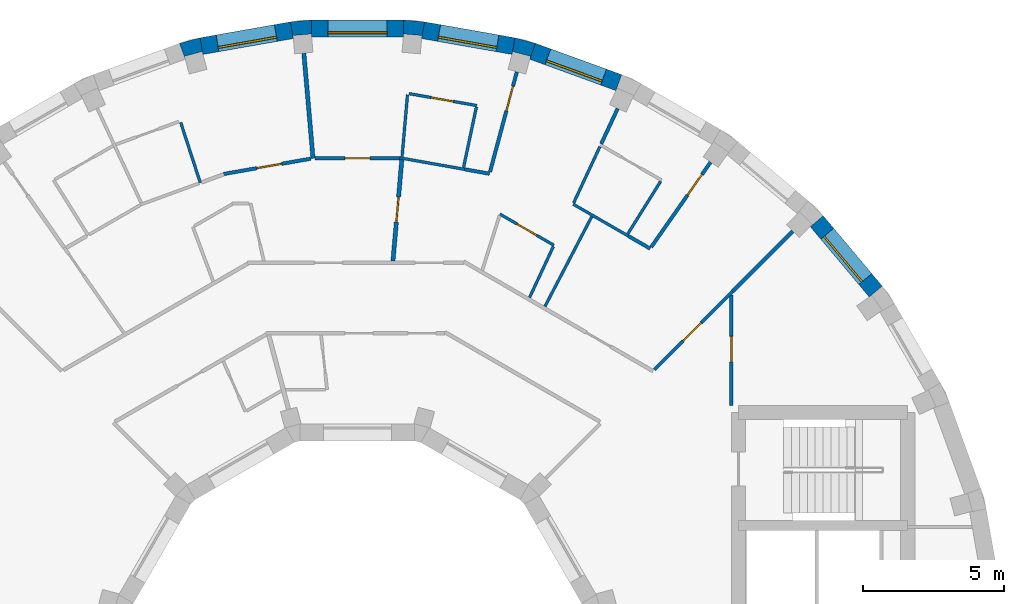
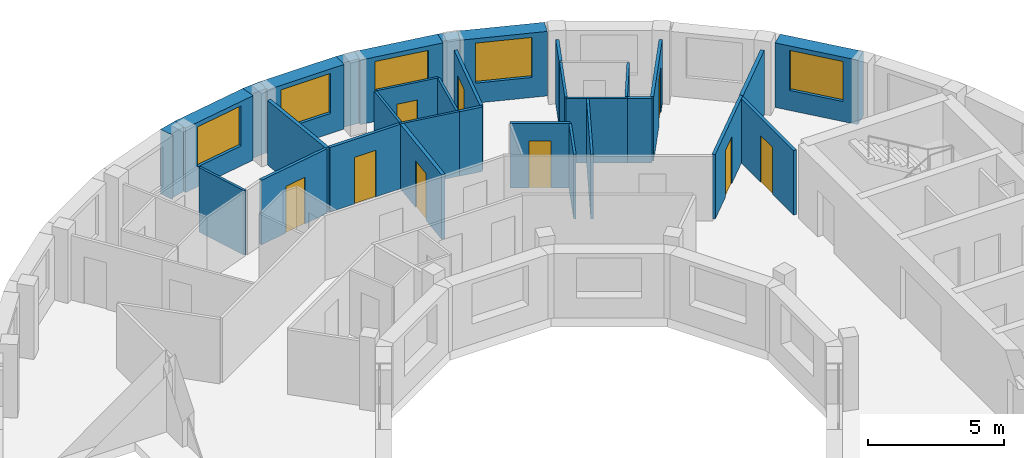
# One storey, part 10 of 12: 32 walls, 9 doors, 5 windows, 14 openings.
"""IFC4 building model written with IfcOpenShell, lengths in metres."""

from ifc_helpers import new_model, si_unit, direction, frame, frame_2d, origin, place, context, subcontext, project, spatial, polyline, rectangle, outline, extrude, material, layer, layer_set, type_object, element, fill, save


model = new_model("IFC4")

# Units and contexts
model_context = context("Model", 3, precision=1e-05, world=origin(), true_north=direction((0.0, 1.0)))
body_context = subcontext(model_context, "Body", "Model", "MODEL_VIEW")
ifc_project = project(units=[si_unit("LENGTHUNIT", "METRE"), si_unit("AREAUNIT", "SQUARE_METRE"), si_unit("VOLUMEUNIT", "CUBIC_METRE"), si_unit("PLANEANGLEUNIT", "RADIAN"), si_unit("MASSUNIT", "GRAM", prefix="KILO")], contexts=[model_context])

# Site, building, storey
site_placement = place(None, origin())
site = spatial("IfcSite", under=ifc_project, at=site_placement, CompositionType="ELEMENT")
building_placement = place(site_placement, origin())
building = spatial("IfcBuilding", under=site, at=building_placement, Name="Saqina Gate Tower", CompositionType="ELEMENT")
storey_placement = place(building_placement, frame((0.0, 0.0, 259.39990234375)))
storey = spatial("IfcBuildingStorey", under=building, at=storey_placement, Name="L74", CompositionType="ELEMENT", Elevation=259.39990234375)

# Walls
ifc_material_1 = material(Name="Brick masonry (buff)", Category="masonry")
wall_type_1 = type_object("IfcWallType", Name="BRICK PIER COPING BUFF", PredefinedType="SOLIDWALL", material=ifc_material_1)
wall_1_placement = place(storey_placement, origin())
element("IfcWall", 1, at=wall_1_placement, inside=storey, type_object=wall_type_1, Name="Pier cap L74 column 8", PredefinedType="SOLIDWALL", context=body_context, shape_type="SweptSolid", body=[
    extrude(outline(polyline([(5.579833984375, 22.281982421875), (5.4755859375, 21.691162109375), (5.5029296875, 21.793212890625), (6.130859375, 21.625), (6.103515625, 21.52294921875), (6.30859375, 22.0869140625), (5.579833984375, 22.281982421875)])), origin(), (0.0, 0.0, 1.0), 2.900146484375),
])
wall_2_placement = place(storey_placement, origin())
element("IfcWall", 2, at=wall_2_placement, inside=storey, type_object=wall_type_1, Name="Pier cap L74 column 9", PredefinedType="SOLIDWALL", context=body_context, shape_type="SweptSolid", body=[
    extrude(outline(polyline([(2.377685546875, 22.8466796875), (1.625732421875, 22.91259765625), (1.625732421875, 22.3125), (1.635009765625, 22.417724609375), (2.28271484375, 22.361083984375), (2.2734375, 22.255859375), (2.377685546875, 22.8466796875)])), origin(), (0.0, 0.0, 1.0), 2.900146484375),
])
wall_3_placement = place(storey_placement, origin())
element("IfcWall", 3, at=wall_3_placement, inside=storey, type_object=wall_type_1, Name="Pier cap L74 column 10", PredefinedType="SOLIDWALL", context=body_context, shape_type="SweptSolid", body=[
    extrude(outline(polyline([(-1.625732421875, 22.91259765625), (-2.377685546875, 22.8466796875), (-2.2734375, 22.255859375), (-2.28271484375, 22.361083984375), (-1.635009765625, 22.417724609375), (-1.625732421875, 22.3125), (-1.625732421875, 22.91259765625)])), origin(), (0.0, 0.0, 1.0), 2.900146484375),
])
wall_4_placement = place(storey_placement, origin())
element("IfcWall", 4, at=wall_4_placement, inside=storey, type_object=wall_type_1, Name="Pier cap L74 column 11", PredefinedType="SOLIDWALL", context=body_context, shape_type="SweptSolid", body=[
    extrude(outline(polyline([(-6.30859375, 22.0869140625), (-6.103515625, 21.52294921875), (-6.130859375, 21.625), (-5.5029296875, 21.793212890625), (-5.4755859375, 21.691162109375), (-5.579833984375, 22.281982421875), (-6.30859375, 22.0869140625)])), origin(), (0.0, 0.0, 1.0), 2.900146484375),
])

# Wall, opening, window
ifc_material_2 = material(Name="Brick masonry (buff)", Category="masonry")
ifc_layer_1 = layer(ifc_material_2, 0.60009765625)
ifc_layer_set_1 = layer_set([ifc_layer_1], Name="FW-BRICK-BUFF")
wall_type_2 = type_object("IfcWallType", Name="FW-BRICK-BUFF", PredefinedType="SOLIDWALL", material=ifc_layer_set_1)
wall_5_placement = place(storey_placement, frame((18.3671875, 13.28955078125, 0.0), z_axis=(0.0, 0.0, 1.0), x_axis=(-0.64277291405, 0.766056773982, 0.0)))
wall_5 = element("IfcWall", 5, at=wall_5_placement, inside=storey, type_object=wall_type_2, Name="Facade wall L74 facet 4", PredefinedType="SOLIDWALL", context=body_context, shape_type="SweptSolid", body=[
    extrude(rectangle(XDim=3.251708984375, YDim=0.60009765625, at=frame_2d((1.6259765625, 0.0))), origin(), (0.0, 0.0, 1.0), 2.900146484375),
])
opening_1_placement = place(wall_5_placement, frame((0.57568359375, 0.0, 0.89990234375)))
opening_1 = element("IfcOpeningElement", 6, at=opening_1_placement, cuts=wall_5, Name="Opening G22-W02", PredefinedType="OPENING", context=body_context, shape_type="SweptSolid", body=[
    extrude(rectangle(XDim=2.10009765625, YDim=1.800048828125, at=frame_2d((1.050048828125, 0.89990234375))), frame((0.0, 0.31201171875, 0.0), z_axis=(0.0, -1.0, 0.0), x_axis=(1.0, 0.0, 0.0)), (0.0, 0.0, 1.0), 0.6240234375),
])
ifc_material_3 = material(Name="Aluminium glazing", Category="aluminium")
window_type = type_object("IfcWindowType", Name="WN-D", PartitioningType="SINGLE_PANEL", PredefinedType="WINDOW", material=ifc_material_3)
window_1_placement = place(opening_1_placement, origin())
window_1 = element("IfcWindow", 7, at=window_1_placement, inside=storey, type_object=window_type, Name="Window L74 facet 4", OverallHeight=1.800048828125, OverallWidth=2.10009765625, PartitioningType="SINGLE_PANEL", PredefinedType="WINDOW", context=body_context, shape_type="SweptSolid", body=[
    extrude(rectangle(XDim=2.10009765625, YDim=1.800048828125, at=frame_2d((1.050048828125, 0.89990234375))), frame((0.0, 0.179931640625, 0.0), z_axis=(0.0, -1.0, 0.0), x_axis=(1.0, 0.0, 0.0)), (0.0, 0.0, 1.0), 0.06005859375),
])
fill(opening_1, window_1)

wall_6_placement = place(storey_placement, frame((9.26171875, 20.692626953125, 0.0), z_axis=(0.0, 0.0, 1.0), x_axis=(-0.939679383794, 0.342056509473, 0.0)))
wall_6 = element("IfcWall", 8, at=wall_6_placement, inside=storey, type_object=wall_type_2, Name="Facade wall L74 facet 7", PredefinedType="SOLIDWALL", context=body_context, shape_type="SweptSolid", body=[
    extrude(rectangle(XDim=3.251708984375, YDim=0.60009765625, at=frame_2d((1.6259765625, 0.0))), origin(), (0.0, 0.0, 1.0), 2.900146484375),
])
opening_2_placement = place(wall_6_placement, frame((0.57568359375, 0.0, 0.89990234375)))
opening_2 = element("IfcOpeningElement", 9, at=opening_2_placement, cuts=wall_6, Name="Opening G22-W05", PredefinedType="OPENING", context=body_context, shape_type="SweptSolid", body=[
    extrude(rectangle(XDim=2.10009765625, YDim=1.800048828125, at=frame_2d((1.050048828125, 0.89990234375))), frame((0.0, 0.31201171875, 0.0), z_axis=(0.0, -1.0, 0.0), x_axis=(1.0, 0.0, 0.0)), (0.0, 0.0, 1.0), 0.6240234375),
])
window_2_placement = place(opening_2_placement, origin())
window_2 = element("IfcWindow", 10, at=window_2_placement, inside=storey, type_object=window_type, Name="Window L74 facet 7", OverallHeight=1.800048828125, OverallWidth=2.10009765625, PartitioningType="SINGLE_PANEL", PredefinedType="WINDOW", context=body_context, shape_type="SweptSolid", body=[
    extrude(rectangle(XDim=2.10009765625, YDim=1.800048828125, at=frame_2d((1.050048828125, 0.89990234375))), frame((0.0, 0.179931640625, 0.0), z_axis=(0.0, -1.0, 0.0), x_axis=(1.0, 0.0, 0.0)), (0.0, 0.0, 1.0), 0.06005859375),
])
fill(opening_2, window_2)

wall_7_placement = place(storey_placement, frame((5.52783203125, 21.986572265625, 0.0), z_axis=(0.0, 0.0, 1.0), x_axis=(-0.984806225186, 0.173656842178, 0.0)))
wall_7 = element("IfcWall", 11, at=wall_7_placement, inside=storey, type_object=wall_type_2, Name="Facade wall L74 facet 8", PredefinedType="SOLIDWALL", context=body_context, shape_type="SweptSolid", body=[
    extrude(rectangle(XDim=3.251708984375, YDim=0.60009765625, at=frame_2d((1.6259765625, 0.0))), origin(), (0.0, 0.0, 1.0), 2.900146484375),
])
opening_3_placement = place(wall_7_placement, frame((0.57568359375, 0.0, 0.89990234375)))
opening_3 = element("IfcOpeningElement", 12, at=opening_3_placement, cuts=wall_7, Name="Opening G22-W06", PredefinedType="OPENING", context=body_context, shape_type="SweptSolid", body=[
    extrude(rectangle(XDim=2.10009765625, YDim=1.800048828125, at=frame_2d((1.050048828125, 0.89990234375))), frame((0.0, 0.31201171875, 0.0), z_axis=(0.0, -1.0, 0.0), x_axis=(1.0, 0.0, 0.0)), (0.0, 0.0, 1.0), 0.6240234375),
])
window_3_placement = place(opening_3_placement, origin())
window_3 = element("IfcWindow", 13, at=window_3_placement, inside=storey, type_object=window_type, Name="Window L74 facet 8", OverallHeight=1.800048828125, OverallWidth=2.10009765625, PartitioningType="SINGLE_PANEL", PredefinedType="WINDOW", context=body_context, shape_type="SweptSolid", body=[
    extrude(rectangle(XDim=2.10009765625, YDim=1.800048828125, at=frame_2d((1.050048828125, 0.89990234375))), frame((0.0, 0.179931640625, 0.0), z_axis=(0.0, -1.0, 0.0), x_axis=(1.0, 0.0, 0.0)), (0.0, 0.0, 1.0), 0.06005859375),
])
fill(opening_3, window_3)

wall_8_placement = place(storey_placement, frame((1.625732421875, 22.612548828125, 0.0), z_axis=(0.0, 0.0, 1.0), x_axis=(-1.0, 0.0, 0.0)))
wall_8 = element("IfcWall", 14, at=wall_8_placement, inside=storey, type_object=wall_type_2, Name="Facade wall L74 facet 9", PredefinedType="SOLIDWALL", context=body_context, shape_type="SweptSolid", body=[
    extrude(rectangle(XDim=3.25146484375, YDim=0.60009765625, at=frame_2d((1.625732421875, 0.0))), origin(), (0.0, 0.0, 1.0), 2.900146484375),
])
opening_4_placement = place(wall_8_placement, frame((0.57568359375, 0.0, 0.89990234375)))
opening_4 = element("IfcOpeningElement", 15, at=opening_4_placement, cuts=wall_8, Name="Opening G22-W07", PredefinedType="OPENING", context=body_context, shape_type="SweptSolid", body=[
    extrude(rectangle(XDim=2.10009765625, YDim=1.800048828125, at=frame_2d((1.050048828125, 0.89990234375))), frame((0.0, 0.31201171875, 0.0), z_axis=(0.0, -1.0, 0.0), x_axis=(1.0, 0.0, 0.0)), (0.0, 0.0, 1.0), 0.6240234375),
])
window_4_placement = place(opening_4_placement, origin())
window_4 = element("IfcWindow", 16, at=window_4_placement, inside=storey, type_object=window_type, Name="Window L74 facet 9", OverallHeight=1.800048828125, OverallWidth=2.10009765625, PartitioningType="SINGLE_PANEL", PredefinedType="WINDOW", context=body_context, shape_type="SweptSolid", body=[
    extrude(rectangle(XDim=2.10009765625, YDim=1.800048828125, at=frame_2d((1.050048828125, 0.89990234375))), frame((0.0, 0.179931640625, 0.0), z_axis=(0.0, -1.0, 0.0), x_axis=(1.0, 0.0, 0.0)), (0.0, 0.0, 1.0), 0.06005859375),
])
fill(opening_4, window_4)

wall_9_placement = place(storey_placement, frame((-2.325439453125, 22.55126953125, 0.0), z_axis=(0.0, 0.0, 1.0), x_axis=(-0.984806225186, -0.173656842178, 0.0)))
wall_9 = element("IfcWall", 17, at=wall_9_placement, inside=storey, type_object=wall_type_2, Name="Facade wall L74 facet 10", PredefinedType="SOLIDWALL", context=body_context, shape_type="SweptSolid", body=[
    extrude(rectangle(XDim=3.251708984375, YDim=0.60009765625, at=frame_2d((1.6259765625, 0.0))), origin(), (0.0, 0.0, 1.0), 2.900146484375),
])
opening_5_placement = place(wall_9_placement, frame((0.57568359375, 0.0, 0.89990234375)))
opening_5 = element("IfcOpeningElement", 18, at=opening_5_placement, cuts=wall_9, Name="Opening G22-W08", PredefinedType="OPENING", context=body_context, shape_type="SweptSolid", body=[
    extrude(rectangle(XDim=2.10009765625, YDim=1.800048828125, at=frame_2d((1.050048828125, 0.89990234375))), frame((0.0, 0.31201171875, 0.0), z_axis=(0.0, -1.0, 0.0), x_axis=(1.0, 0.0, 0.0)), (0.0, 0.0, 1.0), 0.6240234375),
])
window_5_placement = place(opening_5_placement, origin())
window_5 = element("IfcWindow", 19, at=window_5_placement, inside=storey, type_object=window_type, Name="Window L74 facet 10", OverallHeight=1.800048828125, OverallWidth=2.10009765625, PartitioningType="SINGLE_PANEL", PredefinedType="WINDOW", context=body_context, shape_type="SweptSolid", body=[
    extrude(rectangle(XDim=2.10009765625, YDim=1.800048828125, at=frame_2d((1.050048828125, 0.89990234375))), frame((0.0, 0.179931640625, 0.0), z_axis=(0.0, -1.0, 0.0), x_axis=(1.0, 0.0, 0.0)), (0.0, 0.0, 1.0), 0.06005859375),
])
fill(opening_5, window_5)

# Wall
ifc_material_4 = material(Name="Gypsum board on steel studs, 100 mm", Category="steel")
ifc_layer_2 = layer(ifc_material_4, 0.10009765625)
ifc_layer_set_2 = layer_set([ifc_layer_2], Name="PARTITION 100")
wall_type_3 = type_object("IfcWallType", Name="PARTITION 100", PredefinedType="PARTITIONING", material=ifc_layer_set_2)
wall_10_placement = place(storey_placement, frame((-6.264892578125, 19.280517578125, 0.0), z_axis=(0.0, 0.0, 1.0), x_axis=(0.308892186689, -0.951097059717, 0.0)))
element("IfcWall", 20, at=wall_10_placement, inside=storey, type_object=wall_type_3, Name="PARTITION PW3-07", PredefinedType="PARTITIONING", context=body_context, shape_type="SweptSolid", body=[
    extrude(rectangle(XDim=2.24951171875, YDim=0.10009765625, at=frame_2d((1.124755859375, 0.0))), origin(), (0.0, 0.0, 1.0), 2.900146484375),
])

# Wall, opening, door
wall_11_placement = place(storey_placement, frame((5.05078125, 16.031982421875, 0.0), z_axis=(0.0, 0.0, 1.0), x_axis=(0.86609715799, -0.49987569747, 0.0)))
wall_11 = element("IfcWall", 21, at=wall_11_placement, inside=storey, type_object=wall_type_3, Name="PARTITION PW3-19", PredefinedType="PARTITIONING", context=body_context, shape_type="SweptSolid", body=[
    extrude(rectangle(XDim=2.20654296875, YDim=0.10009765625, at=frame_2d((1.103271484375, 0.0))), origin(), (0.0, 0.0, 1.0), 2.900146484375),
])
opening_6_placement = place(wall_11_placement, frame((0.702392578125, 0.0, 0.0)))
opening_6 = element("IfcOpeningElement", 22, at=opening_6_placement, cuts=wall_11, Name="Opening G22-D06", PredefinedType="OPENING", context=body_context, shape_type="SweptSolid", body=[
    extrude(rectangle(XDim=0.800048828125, YDim=2.10009765625, at=frame_2d((0.39990234375, 1.050048828125))), frame((0.0, 0.06201171875, 0.0), z_axis=(0.0, -1.0, 0.0), x_axis=(1.0, 0.0, 0.0)), (0.0, 0.0, 1.0), 0.1240234375),
])
ifc_material_5 = material(Name="Timber door leaf, 800 mm", Category="wood")
door_type_1 = type_object("IfcDoorType", Name="DOOR 800 TIMBER", OperationType="SINGLE_SWING_LEFT", PredefinedType="DOOR", material=ifc_material_5)
door_1_placement = place(opening_6_placement, origin())
door_1 = element("IfcDoor", 23, at=door_1_placement, inside=storey, type_object=door_type_1, Name="DOOR G22-D06", OperationType="SINGLE_SWING_LEFT", OverallHeight=2.10009765625, OverallWidth=0.800048828125, PredefinedType="DOOR", context=body_context, shape_type="SweptSolid", body=[
    extrude(rectangle(XDim=0.800048828125, YDim=2.10009765625, at=frame_2d((0.39990234375, 1.050048828125))), frame((0.0, 0.02490234375, 0.0), z_axis=(0.0, -1.0, 0.0), x_axis=(1.0, 0.0, 0.0)), (0.0, 0.0, 1.0), 0.050048828125),
])
fill(opening_6, door_1)

# Walls
wall_12_placement = place(storey_placement, frame((7.64208984375, 16.386474609375, 0.0), z_axis=(0.0, 0.0, 1.0), x_axis=(0.86603400694, -0.499985098601, 0.0)))
element("IfcWall", 24, at=wall_12_placement, inside=storey, type_object=wall_type_3, Name="PARTITION PW3-20", PredefinedType="PARTITIONING", context=body_context, shape_type="SweptSolid", body=[
    extrude(rectangle(XDim=2.2529296875, YDim=0.10009765625, at=frame_2d((1.12646484375, 0.0))), origin(), (0.0, 0.0, 1.0), 2.900146484375),
])
wall_13_placement = place(storey_placement, frame((1.5, 18.02734375, 0.0), z_axis=(0.0, 0.0, 1.0), x_axis=(0.984634591381, -0.174627378886, 0.0)))
element("IfcWall", 25, at=wall_13_placement, inside=storey, type_object=wall_type_3, Name="PARTITION PW3-22", PredefinedType="PARTITIONING", context=body_context, shape_type="SweptSolid", body=[
    extrude(rectangle(XDim=2.33203125, YDim=0.10009765625, at=frame_2d((1.166015625, 0.0))), origin(), (0.0, 0.0, 1.0), 2.900146484375),
])

# Wall, opening, door
wall_14_placement = place(storey_placement, frame((1.8271484375, 20.30322265625, 0.0), z_axis=(0.0, 0.0, 1.0), x_axis=(0.984857159035, -0.173367748724, 0.0)))
wall_14 = element("IfcWall", 26, at=wall_14_placement, inside=storey, type_object=wall_type_3, Name="PARTITION PW3-25", PredefinedType="PARTITIONING", context=body_context, shape_type="SweptSolid", body=[
    extrude(rectangle(XDim=2.434814453125, YDim=0.10009765625, at=frame_2d((1.21728515625, 0.0))), origin(), (0.0, 0.0, 1.0), 2.900146484375),
])
opening_7_placement = place(wall_14_placement, frame((0.791748046875, 0.0, 0.0)))
opening_7 = element("IfcOpeningElement", 27, at=opening_7_placement, cuts=wall_14, Name="Opening G22-D10", PredefinedType="OPENING", context=body_context, shape_type="SweptSolid", body=[
    extrude(rectangle(XDim=0.800048828125, YDim=2.10009765625, at=frame_2d((0.39990234375, 1.050048828125))), frame((0.0, 0.06201171875, 0.0), z_axis=(0.0, -1.0, 0.0), x_axis=(1.0, 0.0, 0.0)), (0.0, 0.0, 1.0), 0.1240234375),
])
door_2_placement = place(opening_7_placement, origin())
door_2 = element("IfcDoor", 28, at=door_2_placement, inside=storey, type_object=door_type_1, Name="DOOR G22-D10", OperationType="SINGLE_SWING_LEFT", OverallHeight=2.10009765625, OverallWidth=0.800048828125, PredefinedType="DOOR", context=body_context, shape_type="SweptSolid", body=[
    extrude(rectangle(XDim=0.800048828125, YDim=2.10009765625, at=frame_2d((0.39990234375, 1.050048828125))), frame((0.0, 0.02490234375, 0.0), z_axis=(0.0, -1.0, 0.0), x_axis=(1.0, 0.0, 0.0)), (0.0, 0.0, 1.0), 0.050048828125),
])
fill(opening_7, door_2)

# Walls
wall_15_placement = place(storey_placement, frame((9.5830078125, 15.337890625, 0.0), z_axis=(0.0, 0.0, 1.0), x_axis=(0.529988916938, 0.848004568339, 0.0)))
element("IfcWall", 29, at=wall_15_placement, inside=storey, type_object=wall_type_3, Name="PARTITION PW3-40", PredefinedType="PARTITIONING", context=body_context, shape_type="SweptSolid", body=[
    extrude(rectangle(XDim=2.189453125, YDim=0.10009765625, at=frame_2d((1.0947265625, 0.0))), origin(), (0.0, 0.0, 1.0), 2.900146484375),
])
wall_16_placement = place(storey_placement, frame((6.643798828125, 12.761474609375, 0.0), z_axis=(0.0, 0.0, 1.0), x_axis=(0.462108219217, 0.886823541485, 0.0)))
element("IfcWall", 30, at=wall_16_placement, inside=storey, type_object=wall_type_3, Name="PARTITION PW3-44", PredefinedType="PARTITIONING", context=body_context, shape_type="SweptSolid", body=[
    extrude(rectangle(XDim=3.591064453125, YDim=0.10009765625, at=frame_2d((1.79541015625, 0.0))), origin(), (0.0, 0.0, 1.0), 2.900146484375),
])
wall_17_placement = place(storey_placement, frame((6.09765625, 13.075439453125, 0.0), z_axis=(0.0, 0.0, 1.0), x_axis=(0.422624209162, 0.906305013685, 0.0)))
element("IfcWall", 31, at=wall_17_placement, inside=storey, type_object=wall_type_3, Name="PARTITION PW3-45", PredefinedType="PARTITIONING", context=body_context, shape_type="SweptSolid", body=[
    extrude(rectangle(XDim=1.995361328125, YDim=0.10009765625, at=frame_2d((0.99755859375, 0.0))), origin(), (0.0, 0.0, 1.0), 2.900146484375),
])
wall_18_placement = place(storey_placement, frame((7.662109375, 16.432373046875, 0.0), z_axis=(0.0, 0.0, 1.0), x_axis=(0.422642091252, 0.906296674772, 0.0)))
element("IfcWall", 32, at=wall_18_placement, inside=storey, type_object=wall_type_3, Name="PARTITION PW3-46", PredefinedType="PARTITIONING", context=body_context, shape_type="SweptSolid", body=[
    extrude(rectangle(XDim=2.19677734375, YDim=0.10009765625, at=frame_2d((1.098388671875, 0.0))), origin(), (0.0, 0.0, 1.0), 2.900146484375),
])
wall_19_placement = place(storey_placement, frame((3.760009765625, 17.691162109375, 0.0), z_axis=(0.0, 0.0, 1.0), x_axis=(0.207691908253, 0.978194291154, 0.0)))
element("IfcWall", 33, at=wall_19_placement, inside=storey, type_object=wall_type_3, Name="PARTITION PW3-50", PredefinedType="PARTITIONING", context=body_context, shape_type="SweptSolid", body=[
    extrude(rectangle(XDim=2.1875, YDim=0.10009765625, at=frame_2d((1.09375, 0.0))), origin(), (0.0, 0.0, 1.0), 2.900146484375),
])
wall_20_placement = place(storey_placement, frame((1.581298828125, 18.07421875, 0.0), z_axis=(0.0, 0.0, 1.0), x_axis=(0.086816690558, 0.996224303177, 0.0)))
element("IfcWall", 34, at=wall_20_placement, inside=storey, type_object=wall_type_3, Name="PARTITION PW3-53", PredefinedType="PARTITIONING", context=body_context, shape_type="SweptSolid", body=[
    extrude(rectangle(XDim=2.1962890625, YDim=0.10009765625, at=frame_2d((1.09814453125, 0.0))), origin(), (0.0, 0.0, 1.0), 2.900146484375),
])
ifc_material_6 = material(Name="Gypsum board on steel studs, 125 mm, fire rated", Category="steel")
ifc_layer_3 = layer(ifc_material_6, 0.125)
ifc_layer_set_3 = layer_set([ifc_layer_3], Name="PARTITION EI 30 125")
wall_type_4 = type_object("IfcWallType", Name="PARTITION EI 30 125", PredefinedType="PARTITIONING", material=ifc_layer_set_3)
wall_21_placement = place(storey_placement, frame((9.59326171875, 15.260009765625, 0.0), z_axis=(0.0, 0.0, 1.0), x_axis=(0.866072174983, -0.499918981156, 0.0)))
element("IfcWall", 35, at=wall_21_placement, inside=storey, type_object=wall_type_4, Name="PARTITION PW1-14", PredefinedType="PARTITIONING", context=body_context, shape_type="SweptSolid", body=[
    extrude(rectangle(XDim=0.896240234375, YDim=0.125, at=frame_2d((0.4482421875, 0.0))), origin(), (0.0, 0.0, 1.0), 2.900146484375),
])
wall_22_placement = place(storey_placement, frame((3.796142578125, 17.621337890625, 0.0), z_axis=(0.0, 0.0, 1.0), x_axis=(0.984648940512, -0.174546452121, 0.0)))
element("IfcWall", 36, at=wall_22_placement, inside=storey, type_object=wall_type_4, Name="PARTITION PW1-15", PredefinedType="PARTITIONING", context=body_context, shape_type="SweptSolid", body=[
    extrude(rectangle(XDim=0.896484375, YDim=0.125, at=frame_2d((0.4482421875, 0.0))), origin(), (0.0, 0.0, 1.0), 2.900146484375),
])

# Wall, opening, door
wall_23_placement = place(storey_placement, frame((-1.5, 18.011962890625, 0.0), z_axis=(0.0, 0.0, 1.0), x_axis=(1.0, 0.0, 0.0)))
wall_23 = element("IfcWall", 37, at=wall_23_placement, inside=storey, type_object=wall_type_4, Name="PARTITION PW1-21", PredefinedType="PARTITIONING", context=body_context, shape_type="SweptSolid", body=[
    extrude(rectangle(XDim=3.0, YDim=0.125, at=frame_2d((1.5, 0.0))), origin(), (0.0, 0.0, 1.0), 2.900146484375),
])
opening_8_placement = place(wall_23_placement, frame((1.050048828125, 0.0, 0.0)))
opening_8 = element("IfcOpeningElement", 38, at=opening_8_placement, cuts=wall_23, Name="Opening G22-D13", PredefinedType="OPENING", context=body_context, shape_type="SweptSolid", body=[
    extrude(rectangle(XDim=0.89990234375, YDim=2.10009765625, at=frame_2d((0.449951171875, 1.050048828125))), frame((0.0, 0.074462890625, 0.0), z_axis=(0.0, -1.0, 0.0), x_axis=(1.0, 0.0, 0.0)), (0.0, 0.0, 1.0), 0.14892578125),
])
ifc_material_7 = material(Name="Fire door leaf EI 30, 900 mm")
door_type_2 = type_object("IfcDoorType", Name="DOOR 900 EI 30", OperationType="SINGLE_SWING_LEFT", PredefinedType="DOOR", material=ifc_material_7)
door_3_placement = place(opening_8_placement, frame((0.89990234375, 0.0, 0.0), z_axis=(0.0, 0.0, 1.0), x_axis=(-1.0, 0.0, 0.0)))
door_3 = element("IfcDoor", 39, at=door_3_placement, inside=storey, type_object=door_type_2, Name="DOOR G22-D13", OperationType="SINGLE_SWING_LEFT", OverallHeight=2.10009765625, OverallWidth=0.89990234375, PredefinedType="DOOR", context=body_context, shape_type="SweptSolid", body=[
    extrude(rectangle(XDim=0.89990234375, YDim=2.10009765625, at=frame_2d((0.449951171875, 1.050048828125))), frame((0.0, 0.02490234375, 0.0), z_axis=(0.0, -1.0, 0.0), x_axis=(1.0, 0.0, 0.0)), (0.0, 0.0, 1.0), 0.050048828125),
])
fill(opening_8, door_3)

wall_24_placement = place(storey_placement, frame((-4.742431640625, 17.4541015625, 0.0), z_axis=(0.0, 0.0, 1.0), x_axis=(0.984857040105, 0.173368424332, 0.0)))
wall_24 = element("IfcWall", 40, at=wall_24_placement, inside=storey, type_object=wall_type_4, Name="PARTITION PW1-23", PredefinedType="PARTITIONING", context=body_context, shape_type="SweptSolid", body=[
    extrude(rectangle(XDim=3.140380859375, YDim=0.125, at=frame_2d((1.5703125, 0.0))), origin(), (0.0, 0.0, 1.0), 2.900146484375),
])
opening_9_placement = place(wall_24_placement, frame((1.189453125, 0.0, 0.0)))
opening_9 = element("IfcOpeningElement", 41, at=opening_9_placement, cuts=wall_24, Name="Opening G22-D16", PredefinedType="OPENING", context=body_context, shape_type="SweptSolid", body=[
    extrude(rectangle(XDim=0.89990234375, YDim=2.10009765625, at=frame_2d((0.449951171875, 1.050048828125))), frame((0.0, 0.074462890625, 0.0), z_axis=(0.0, -1.0, 0.0), x_axis=(1.0, 0.0, 0.0)), (0.0, 0.0, 1.0), 0.14892578125),
])
door_4_placement = place(opening_9_placement, frame((0.89990234375, 0.0, 0.0), z_axis=(0.0, 0.0, 1.0), x_axis=(-1.0, 0.0, 0.0)))
door_4 = element("IfcDoor", 42, at=door_4_placement, inside=storey, type_object=door_type_2, Name="DOOR G22-D16", OperationType="SINGLE_SWING_LEFT", OverallHeight=2.10009765625, OverallWidth=0.89990234375, PredefinedType="DOOR", context=body_context, shape_type="SweptSolid", body=[
    extrude(rectangle(XDim=0.89990234375, YDim=2.10009765625, at=frame_2d((0.449951171875, 1.050048828125))), frame((0.0, 0.02490234375, 0.0), z_axis=(0.0, -1.0, 0.0), x_axis=(1.0, 0.0, 0.0)), (0.0, 0.0, 1.0), 0.050048828125),
])
fill(opening_9, door_4)

wall_25_placement = place(storey_placement, frame((10.520263671875, 10.520263671875, 0.0), z_axis=(0.0, 0.0, 1.0), x_axis=(0.707106781187, 0.707106781187, 0.0)))
wall_25 = element("IfcWall", 43, at=wall_25_placement, inside=storey, type_object=wall_type_4, Name="PARTITION PW1-33", PredefinedType="PARTITIONING", context=body_context, shape_type="SweptSolid", body=[
    extrude(rectangle(XDim=3.9228515625, YDim=0.125, at=frame_2d((1.96142578125, 0.0))), origin(), (0.0, 0.0, 1.0), 2.900146484375),
])
opening_10_placement = place(wall_25_placement, frame((1.448974609375, 0.0, 0.0)))
opening_10 = element("IfcOpeningElement", 44, at=opening_10_placement, cuts=wall_25, Name="Opening G22-D02", PredefinedType="OPENING", context=body_context, shape_type="SweptSolid", body=[
    extrude(rectangle(XDim=0.89990234375, YDim=2.10009765625, at=frame_2d((0.449951171875, 1.050048828125))), frame((0.0, 0.074462890625, 0.0), z_axis=(0.0, -1.0, 0.0), x_axis=(1.0, 0.0, 0.0)), (0.0, 0.0, 1.0), 0.14892578125),
])
door_5_placement = place(opening_10_placement, origin())
door_5 = element("IfcDoor", 45, at=door_5_placement, inside=storey, type_object=door_type_2, Name="DOOR G22-D02", OperationType="SINGLE_SWING_LEFT", OverallHeight=2.10009765625, OverallWidth=0.89990234375, PredefinedType="DOOR", context=body_context, shape_type="SweptSolid", body=[
    extrude(rectangle(XDim=0.89990234375, YDim=2.10009765625, at=frame_2d((0.449951171875, 1.050048828125))), frame((0.0, 0.02490234375, 0.0), z_axis=(0.0, -1.0, 0.0), x_axis=(1.0, 0.0, 0.0)), (0.0, 0.0, 1.0), 0.050048828125),
])
fill(opening_10, door_5)

wall_26_placement = place(storey_placement, frame((10.406982421875, 14.862060546875, 0.0), z_axis=(0.0, 0.0, 1.0), x_axis=(0.573265962511, 0.81936935275, 0.0)))
wall_26 = element("IfcWall", 46, at=wall_26_placement, inside=storey, type_object=wall_type_4, Name="PARTITION PW1-35", PredefinedType="PARTITIONING", context=body_context, shape_type="SweptSolid", body=[
    extrude(rectangle(XDim=3.67138671875, YDim=0.125, at=frame_2d((1.835693359375, 0.0))), origin(), (0.0, 0.0, 1.0), 2.900146484375),
])
opening_11_placement = place(wall_26_placement, frame((2.24560546875, 0.0, 0.0)))
opening_11 = element("IfcOpeningElement", 47, at=opening_11_placement, cuts=wall_26, Name="Opening G22-D04", PredefinedType="OPENING", context=body_context, shape_type="SweptSolid", body=[
    extrude(rectangle(XDim=0.89990234375, YDim=2.10009765625, at=frame_2d((0.449951171875, 1.050048828125))), frame((0.0, 0.074462890625, 0.0), z_axis=(0.0, -1.0, 0.0), x_axis=(1.0, 0.0, 0.0)), (0.0, 0.0, 1.0), 0.14892578125),
])
door_6_placement = place(opening_11_placement, frame((0.89990234375, 0.0, 0.0), z_axis=(0.0, 0.0, 1.0), x_axis=(-1.0, 0.0, 0.0)))
door_6 = element("IfcDoor", 48, at=door_6_placement, inside=storey, type_object=door_type_2, Name="DOOR G22-D04", OperationType="SINGLE_SWING_LEFT", OverallHeight=2.10009765625, OverallWidth=0.89990234375, PredefinedType="DOOR", context=body_context, shape_type="SweptSolid", body=[
    extrude(rectangle(XDim=0.89990234375, YDim=2.10009765625, at=frame_2d((0.449951171875, 1.050048828125))), frame((0.0, 0.02490234375, 0.0), z_axis=(0.0, -1.0, 0.0), x_axis=(1.0, 0.0, 0.0)), (0.0, 0.0, 1.0), 0.050048828125),
])
fill(opening_11, door_6)

# Wall
wall_27_placement = place(storey_placement, frame((8.6376953125, 18.525390625, 0.0), z_axis=(0.0, 0.0, 1.0), x_axis=(0.423546445352, 0.905874388991, 0.0)))
element("IfcWall", 49, at=wall_27_placement, inside=storey, type_object=wall_type_4, Name="PARTITION PW1-38", PredefinedType="PARTITIONING", context=body_context, shape_type="SweptSolid", body=[
    extrude(rectangle(XDim=1.374755859375, YDim=0.125, at=frame_2d((0.6875, 0.0))), origin(), (0.0, 0.0, 1.0), 2.900146484375),
])

# Wall, opening, door
wall_28_placement = place(storey_placement, frame((4.69580078125, 17.5263671875, 0.0), z_axis=(0.0, 0.0, 1.0), x_axis=(0.259074084297, 0.965857452653, 0.0)))
wall_28 = element("IfcWall", 50, at=wall_28_placement, inside=storey, type_object=wall_type_4, Name="PARTITION PW1-40", PredefinedType="PARTITIONING", context=body_context, shape_type="SweptSolid", body=[
    extrude(rectangle(XDim=3.67041015625, YDim=0.125, at=frame_2d((1.835205078125, 0.0))), origin(), (0.0, 0.0, 1.0), 2.900146484375),
])
opening_12_placement = place(wall_28_placement, frame((2.24462890625, 0.0, 0.0)))
opening_12 = element("IfcOpeningElement", 51, at=opening_12_placement, cuts=wall_28, Name="Opening G22-D07", PredefinedType="OPENING", context=body_context, shape_type="SweptSolid", body=[
    extrude(rectangle(XDim=0.89990234375, YDim=2.10009765625, at=frame_2d((0.449951171875, 1.050048828125))), frame((0.0, 0.074462890625, 0.0), z_axis=(0.0, -1.0, 0.0), x_axis=(1.0, 0.0, 0.0)), (0.0, 0.0, 1.0), 0.14892578125),
])
door_7_placement = place(opening_12_placement, frame((0.89990234375, 0.0, 0.0), z_axis=(0.0, 0.0, 1.0), x_axis=(-1.0, 0.0, 0.0)))
door_7 = element("IfcDoor", 52, at=door_7_placement, inside=storey, type_object=door_type_2, Name="DOOR G22-D07", OperationType="SINGLE_SWING_LEFT", OverallHeight=2.10009765625, OverallWidth=0.89990234375, PredefinedType="DOOR", context=body_context, shape_type="SweptSolid", body=[
    extrude(rectangle(XDim=0.89990234375, YDim=2.10009765625, at=frame_2d((0.449951171875, 1.050048828125))), frame((0.0, 0.02490234375, 0.0), z_axis=(0.0, -1.0, 0.0), x_axis=(1.0, 0.0, 0.0)), (0.0, 0.0, 1.0), 0.050048828125),
])
fill(opening_12, door_7)

wall_29_placement = place(storey_placement, frame((13.25, 9.25, 0.0), z_axis=(0.0, 0.0, 1.0), x_axis=(0.0, 1.0, 0.0)))
wall_29 = element("IfcWall", 53, at=wall_29_placement, inside=storey, type_object=wall_type_4, Name="PARTITION PW1-43", PredefinedType="PARTITIONING", context=body_context, shape_type="SweptSolid", body=[
    extrude(rectangle(XDim=3.925048828125, YDim=0.125, at=frame_2d((1.96240234375, 0.0))), origin(), (0.0, 0.0, 1.0), 2.900146484375),
])
opening_13_placement = place(wall_29_placement, frame((1.550048828125, 0.0, 0.0)))
opening_13 = element("IfcOpeningElement", 54, at=opening_13_placement, cuts=wall_29, Name="Opening G22-D01", PredefinedType="OPENING", context=body_context, shape_type="SweptSolid", body=[
    extrude(rectangle(XDim=0.89990234375, YDim=2.10009765625, at=frame_2d((0.449951171875, 1.050048828125))), frame((0.0, 0.074462890625, 0.0), z_axis=(0.0, -1.0, 0.0), x_axis=(1.0, 0.0, 0.0)), (0.0, 0.0, 1.0), 0.14892578125),
])
door_8_placement = place(opening_13_placement, frame((0.89990234375, 0.0, 0.0), z_axis=(0.0, 0.0, 1.0), x_axis=(-1.0, 0.0, 0.0)))
door_8 = element("IfcDoor", 55, at=door_8_placement, inside=storey, type_object=door_type_2, Name="DOOR G22-D01", OperationType="SINGLE_SWING_LEFT", OverallHeight=2.10009765625, OverallWidth=0.89990234375, PredefinedType="DOOR", context=body_context, shape_type="SweptSolid", body=[
    extrude(rectangle(XDim=0.89990234375, YDim=2.10009765625, at=frame_2d((0.449951171875, 1.050048828125))), frame((0.0, 0.02490234375, 0.0), z_axis=(0.0, -1.0, 0.0), x_axis=(1.0, 0.0, 0.0)), (0.0, 0.0, 1.0), 0.050048828125),
])
fill(opening_13, door_8)

# Walls
ifc_material_8 = material(Name="Gypsum board on steel studs, 150 mm, fire rated", Category="steel")
ifc_layer_4 = layer(ifc_material_8, 0.14990234375)
ifc_layer_set_4 = layer_set([ifc_layer_4], Name="PARTITION EI 60 150")
wall_type_5 = type_object("IfcWallType", Name="PARTITION EI 60 150", PredefinedType="PARTITIONING", material=ifc_layer_set_4)
wall_30_placement = place(storey_placement, frame((-1.900146484375, 21.732177734375, 0.0), z_axis=(0.0, 0.0, 1.0), x_axis=(0.086821454474, -0.996223888011, 0.0)))
element("IfcWall", 56, at=wall_30_placement, inside=storey, type_object=wall_type_5, Name="PARTITION PW2-01", PredefinedType="PARTITIONING", context=body_context, shape_type="SweptSolid", body=[
    extrude(rectangle(XDim=3.734375, YDim=0.14990234375, at=frame_2d((1.8671875, 0.0))), origin(), (0.0, 0.0, 1.0), 2.900146484375),
])
wall_31_placement = place(storey_placement, frame((13.294189453125, 13.294189453125, 0.0), z_axis=(0.0, 0.0, 1.0), x_axis=(0.707106781187, 0.707106781187, 0.0)))
element("IfcWall", 57, at=wall_31_placement, inside=storey, type_object=wall_type_5, Name="PARTITION PW2-04", PredefinedType="PARTITIONING", context=body_context, shape_type="SweptSolid", body=[
    extrude(rectangle(XDim=3.01416015625, YDim=0.14990234375, at=frame_2d((1.507080078125, 0.0))), origin(), (0.0, 0.0, 1.0), 2.900146484375),
])

# Wall, opening, door
wall_32_placement = place(storey_placement, frame((1.25732421875, 14.372314453125, 0.0), z_axis=(0.0, 0.0, 1.0), x_axis=(0.08726107822, 0.99618547682, 0.0)))
wall_32 = element("IfcWall", 58, at=wall_32_placement, inside=storey, type_object=wall_type_5, Name="PARTITION PW2-06", PredefinedType="PARTITIONING", context=body_context, shape_type="SweptSolid", body=[
    extrude(rectangle(XDim=3.603515625, YDim=0.14990234375, at=frame_2d((1.8017578125, 0.0))), origin(), (0.0, 0.0, 1.0), 2.900146484375),
])
opening_14_placement = place(wall_32_placement, frame((1.374267578125, 0.0, 0.0)))
opening_14 = element("IfcOpeningElement", 59, at=opening_14_placement, cuts=wall_32, Name="Opening G22-D11", PredefinedType="OPENING", context=body_context, shape_type="SweptSolid", body=[
    extrude(rectangle(XDim=0.89990234375, YDim=2.10009765625, at=frame_2d((0.449951171875, 1.050048828125))), frame((0.0, 0.0869140625, 0.0), z_axis=(0.0, -1.0, 0.0), x_axis=(1.0, 0.0, 0.0)), (0.0, 0.0, 1.0), 0.173828125),
])
door_9_placement = place(opening_14_placement, origin())
door_9 = element("IfcDoor", 60, at=door_9_placement, inside=storey, type_object=door_type_2, Name="DOOR G22-D11", OperationType="SINGLE_SWING_RIGHT", OverallHeight=2.10009765625, OverallWidth=0.89990234375, PredefinedType="DOOR", context=body_context, shape_type="SweptSolid", body=[
    extrude(rectangle(XDim=0.89990234375, YDim=2.10009765625, at=frame_2d((0.449951171875, 1.050048828125))), frame((0.0, 0.02490234375, 0.0), z_axis=(0.0, -1.0, 0.0), x_axis=(1.0, 0.0, 0.0)), (0.0, 0.0, 1.0), 0.050048828125),
])
fill(opening_14, door_9)

save(model, "model.ifc")
